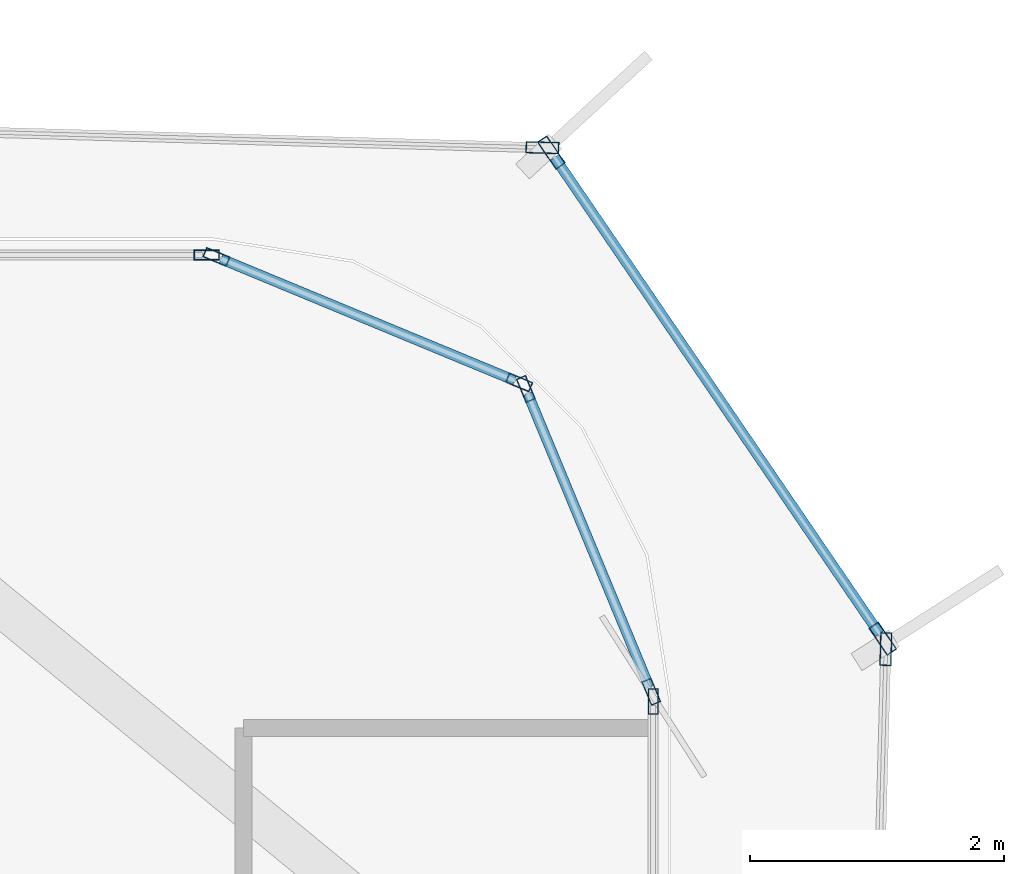
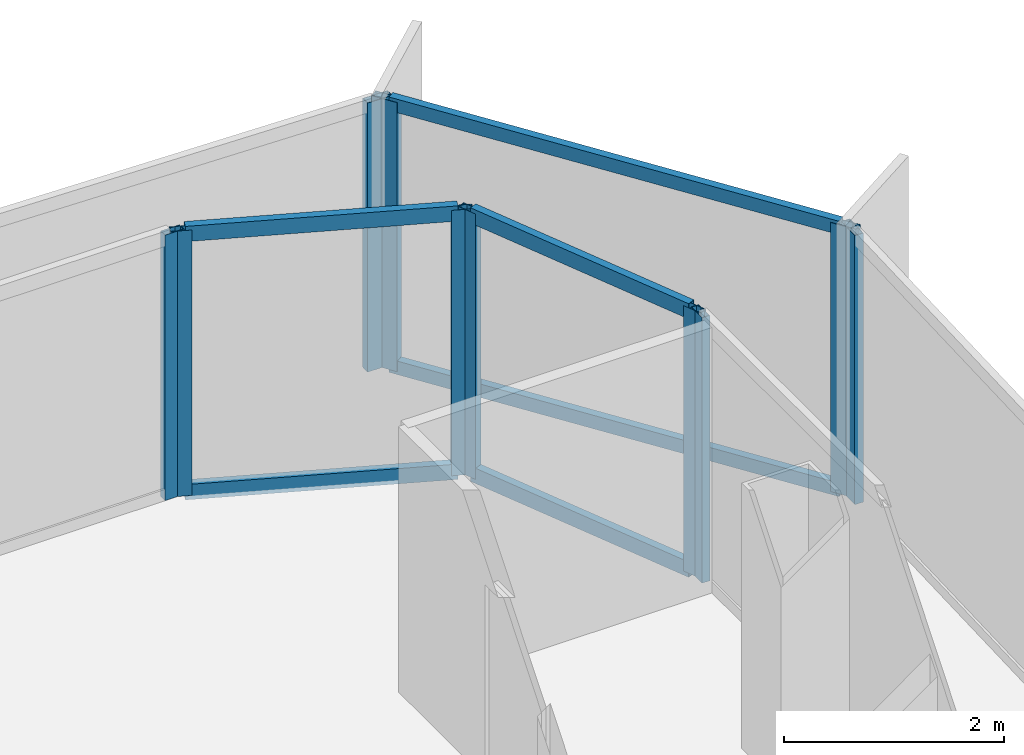
# One storey, part 8 of 15: 16 members, 7 elements without a shape of their own.
"""IFC4 building model written with IfcOpenShell, lengths in metres."""

from ifc_helpers import new_model, si_unit, direction, frame, origin, origin_2d, place, context, subcontext, project, spatial, hollow_rectangle, extrude, source, transform, mapped, material, layer, layer_set, material_profile, profile_set, type_object, element, aggregate, save


model = new_model("IFC4")

# Units and contexts
model_context = context("Model", 3, precision=1e-05, world=origin(), true_north=direction((0.0, 1.0)))
body_context = subcontext(model_context, "Body", "Model", "MODEL_VIEW")
ifc_project = project(units=[si_unit("LENGTHUNIT", "METRE"), si_unit("AREAUNIT", "SQUARE_METRE"), si_unit("VOLUMEUNIT", "CUBIC_METRE"), si_unit("PLANEANGLEUNIT", "RADIAN"), si_unit("MASSUNIT", "GRAM", prefix="KILO")], contexts=[model_context])

# Site, building, storey
site_placement = place(None, origin())
site = spatial("IfcSite", under=ifc_project, at=site_placement, CompositionType="ELEMENT")
building_placement = place(site_placement, origin())
building = spatial("IfcBuilding", under=site, at=building_placement, Name="Kolveth Station Tower", CompositionType="ELEMENT")
storey_placement = place(building_placement, frame((0.0, 0.0, 193.199951171875)))
storey = spatial("IfcBuildingStorey", under=building, at=storey_placement, Name="L54", CompositionType="ELEMENT", Elevation=193.199951171875)

# Curtain wall, member
ifc_material_1 = material(Name="Aluminium 6063-T6 and low-E dark glass", Category="aluminium")
ifc_layer_1 = layer(ifc_material_1, 0.18994140625)
ifc_layer_set_1 = layer_set([ifc_layer_1], Name="Aluminium 6063-T6 and low-E dark glass")
curtain_wall_type_1 = type_object("IfcCurtainWallType", Name="CurtainWall_CW-Z2", PredefinedType="NOTDEFINED", material=ifc_layer_set_1)
curtain_wall_1_placement = place(storey_placement, origin())
curtain_wall_1 = element("IfcCurtainWall", 1, at=curtain_wall_1_placement, inside=storey, type_object=curtain_wall_type_1, Name="L54 Inner Thermal Curtain Wall 3", PredefinedType="NOTDEFINED")
ifc_material_2 = material(Name="Black anodized aluminium 6063-T6", Category="aluminium")
ifc_material_profile_1 = material_profile(ifc_material_2, hollow_rectangle(XDim=0.080078125, YDim=0.199951171875, WallThickness=0.0048828125, at=origin_2d()), Name="ALU-80x200x5")
ifc_profile_set_1 = profile_set([ifc_material_profile_1], Name="Black anodized aluminium 6063-T6")
member_type_1 = type_object("IfcMemberType", Name="Mullion_ML2", PredefinedType="MULLION", material=ifc_profile_set_1)
shared_shape_1 = source(origin(), body_context, "Body", "SweptSolid", [
    extrude(hollow_rectangle(XDim=0.080078125, YDim=0.199951171875, WallThickness=0.0048828125, at=origin_2d()), origin(), (0.0, 0.0, 1.0), 2.949951171875),
])
member_1_placement = place(storey_placement, frame((41.679931640625, 31.659912109375, 0.0), z_axis=(0.0, 0.0, 1.0), x_axis=(-1.0, 0.0, 0.0)))
member_1 = element("IfcMember", 2, at=member_1_placement, type_object=member_type_1, Name="CW-Z2 mullion 2", PredefinedType="MULLION", context=body_context, shape_type="MappedRepresentation", body=[
    mapped(shared_shape_1, transform((0.0, 0.0, 0.0), x_axis=(1.0, 0.0, 0.0), y_axis=(0.0, 1.0, 0.0), z_axis=(0.0, 0.0, 1.0), scale=1.0)),
])
aggregate(curtain_wall_1, [member_1])

# Curtain wall, members
curtain_wall_2_placement = place(storey_placement, origin())
curtain_wall_2 = element("IfcCurtainWall", 3, at=curtain_wall_2_placement, inside=storey, type_object=curtain_wall_type_1, Name="L54 Inner Thermal Curtain Wall 4", PredefinedType="NOTDEFINED")
member_2_placement = place(storey_placement, frame((41.664794921875, 31.737060546875, 0.0), z_axis=(0.0, 0.0, 1.0), x_axis=(-0.923873600544, -0.382697753087, 0.0)))
member_2 = element("IfcMember", 4, at=member_2_placement, type_object=member_type_1, Name="CW-Z2 mullion 1", PredefinedType="MULLION", context=body_context, shape_type="MappedRepresentation", body=[
    mapped(shared_shape_1, transform((0.0, 0.0, 0.0), x_axis=(1.0, 0.0, 0.0), y_axis=(0.0, 1.0, 0.0), z_axis=(0.0, 0.0, 1.0), scale=1.0)),
])
member_3_placement = place(storey_placement, frame((40.676025390625, 34.123779296875, 0.0), z_axis=(0.0, 0.0, 1.0), x_axis=(-0.923873600544, -0.382697753087, 0.0)))
member_3 = element("IfcMember", 5, at=member_3_placement, type_object=member_type_1, Name="CW-Z2 mullion 2", PredefinedType="MULLION", context=body_context, shape_type="MappedRepresentation", body=[
    mapped(shared_shape_1, transform((0.0, 0.0, 0.0), x_axis=(1.0, 0.0, 0.0), y_axis=(0.0, 1.0, 0.0), z_axis=(0.0, 0.0, 1.0), scale=1.0)),
])

curtain_wall_3_placement = place(storey_placement, origin())
curtain_wall_3 = element("IfcCurtainWall", 6, at=curtain_wall_3_placement, inside=storey, type_object=curtain_wall_type_1, Name="L54 Inner Thermal Curtain Wall 5", PredefinedType="NOTDEFINED")
member_4_placement = place(storey_placement, frame((40.623779296875, 34.176025390625, 0.0), z_axis=(0.0, 0.0, 1.0), x_axis=(-0.382697753087, -0.923873600544, 0.0)))
member_4 = element("IfcMember", 7, at=member_4_placement, type_object=member_type_1, Name="CW-Z2 mullion 1", PredefinedType="MULLION", context=body_context, shape_type="MappedRepresentation", body=[
    mapped(shared_shape_1, transform((0.0, 0.0, 0.0), x_axis=(1.0, 0.0, 0.0), y_axis=(0.0, 1.0, 0.0), z_axis=(0.0, 0.0, 1.0), scale=1.0)),
])
member_5_placement = place(storey_placement, frame((38.237060546875, 35.164794921875, 0.0), z_axis=(0.0, 0.0, 1.0), x_axis=(-0.382697753087, -0.923873600544, 0.0)))
member_5 = element("IfcMember", 8, at=member_5_placement, type_object=member_type_1, Name="CW-Z2 mullion 2", PredefinedType="MULLION", context=body_context, shape_type="MappedRepresentation", body=[
    mapped(shared_shape_1, transform((0.0, 0.0, 0.0), x_axis=(1.0, 0.0, 0.0), y_axis=(0.0, 1.0, 0.0), z_axis=(0.0, 0.0, 1.0), scale=1.0)),
])

# Curtain wall, member
curtain_wall_4_placement = place(storey_placement, origin())
curtain_wall_4 = element("IfcCurtainWall", 9, at=curtain_wall_4_placement, inside=storey, type_object=curtain_wall_type_1, Name="L54 Inner Thermal Curtain Wall 6", PredefinedType="NOTDEFINED")
member_6_placement = place(storey_placement, frame((38.159912109375, 35.179931640625, 0.0), z_axis=(0.0, 0.0, 1.0), x_axis=(0.0, -1.0, 0.0)))
member_6 = element("IfcMember", 10, at=member_6_placement, type_object=member_type_1, Name="CW-Z2 mullion 1", PredefinedType="MULLION", context=body_context, shape_type="MappedRepresentation", body=[
    mapped(shared_shape_1, transform((0.0, 0.0, 0.0), x_axis=(1.0, 0.0, 0.0), y_axis=(0.0, 1.0, 0.0), z_axis=(0.0, 0.0, 1.0), scale=1.0)),
])
aggregate(curtain_wall_4, [member_6])

ifc_material_3 = material(Name="Black anodized aluminium 6063-T6 and dark solar glass", Category="aluminium")
ifc_layer_2 = layer(ifc_material_3, 0.159912109375)
ifc_layer_set_2 = layer_set([ifc_layer_2], Name="Black anodized aluminium 6063-T6 and dark solar glass")
curtain_wall_type_2 = type_object("IfcCurtainWallType", Name="OUTER SKIN CW-OS", PredefinedType="NOTDEFINED", material=ifc_layer_set_2)
curtain_wall_5_placement = place(storey_placement, origin())
curtain_wall_5 = element("IfcCurtainWall", 11, at=curtain_wall_5_placement, inside=storey, type_object=curtain_wall_type_2, Name="L54 Outer Ventilated Skin Curtain Wall 2", PredefinedType="NOTDEFINED")
ifc_material_profile_2 = material_profile(ifc_material_2, hollow_rectangle(XDim=0.090087890625, YDim=0.260009765625, WallThickness=0.0048828125, at=origin_2d()), Name="ALU-90x260x5")
ifc_profile_set_2 = profile_set([ifc_material_profile_2], Name="Black anodized aluminium 6063-T6")
member_type_2 = type_object("IfcMemberType", Name="FIN MULLION ML-OS", PredefinedType="MULLION", material=ifc_profile_set_2)
shared_shape_2 = source(origin(), body_context, "Body", "SweptSolid", [
    extrude(hollow_rectangle(XDim=0.090087890625, YDim=0.260009765625, WallThickness=0.0048828125, at=origin_2d()), origin(), (0.0, 0.0, 1.0), 2.989990234375),
])
member_7_placement = place(storey_placement, frame((43.514404296875, 32.073486328125, 0.0), z_axis=(0.0, 0.0, 1.0), x_axis=(-0.999636903234, 0.026945531966, 0.0)))
member_7 = element("IfcMember", 12, at=member_7_placement, type_object=member_type_2, Name="CW-OS mullion 2", PredefinedType="MULLION", context=body_context, shape_type="MappedRepresentation", body=[
    mapped(shared_shape_2, transform((0.0, 0.0, 0.0), x_axis=(1.0, 0.0, 0.0), y_axis=(0.0, 1.0, 0.0), z_axis=(0.0, 0.0, 1.0), scale=1.0)),
])
aggregate(curtain_wall_5, [member_7])

# Curtain wall, members
curtain_wall_6_placement = place(storey_placement, origin())
curtain_wall_6 = element("IfcCurtainWall", 13, at=curtain_wall_6_placement, inside=storey, type_object=curtain_wall_type_2, Name="L54 Outer Ventilated Skin Curtain Wall 3", PredefinedType="NOTDEFINED")
member_8_placement = place(storey_placement, frame((43.490234375, 32.15576171875, 0.0), z_axis=(0.0, 0.0, 1.0), x_axis=(-0.826229580123, -0.563333543232, 0.0)))
member_8 = element("IfcMember", 14, at=member_8_placement, type_object=member_type_2, Name="CW-OS mullion 1", PredefinedType="MULLION", context=body_context, shape_type="MappedRepresentation", body=[
    mapped(shared_shape_2, transform((0.0, 0.0, 0.0), x_axis=(1.0, 0.0, 0.0), y_axis=(0.0, 1.0, 0.0), z_axis=(0.0, 0.0, 1.0), scale=1.0)),
])
member_9_placement = place(storey_placement, frame((40.87744140625, 35.98779296875, 0.0), z_axis=(0.0, 0.0, 1.0), x_axis=(-0.826229580123, -0.563333543232, 0.0)))
member_9 = element("IfcMember", 15, at=member_9_placement, type_object=member_type_2, Name="CW-OS mullion 2", PredefinedType="MULLION", context=body_context, shape_type="MappedRepresentation", body=[
    mapped(shared_shape_2, transform((0.0, 0.0, 0.0), x_axis=(1.0, 0.0, 0.0), y_axis=(0.0, 1.0, 0.0), z_axis=(0.0, 0.0, 1.0), scale=1.0)),
])

# Curtain wall, member
curtain_wall_7_placement = place(storey_placement, origin())
curtain_wall_7 = element("IfcCurtainWall", 16, at=curtain_wall_7_placement, inside=storey, type_object=curtain_wall_type_2, Name="L54 Outer Ventilated Skin Curtain Wall 4", PredefinedType="NOTDEFINED")
member_10_placement = place(storey_placement, frame((40.80712890625, 36.0263671875, 0.0), z_axis=(0.0, 0.0, 1.0), x_axis=(-0.027822490511, -0.99961287958, 0.0)))
member_10 = element("IfcMember", 17, at=member_10_placement, type_object=member_type_2, Name="CW-OS mullion 1", PredefinedType="MULLION", context=body_context, shape_type="MappedRepresentation", body=[
    mapped(shared_shape_2, transform((0.0, 0.0, 0.0), x_axis=(1.0, 0.0, 0.0), y_axis=(0.0, 1.0, 0.0), z_axis=(0.0, 0.0, 1.0), scale=1.0)),
])
aggregate(curtain_wall_7, [member_10])

# Member
ifc_material_profile_3 = material_profile(ifc_material_2, hollow_rectangle(XDim=0.080078125, YDim=0.169921875, WallThickness=0.0048828125, at=origin_2d()), Name="ALU-80x170x5")
ifc_profile_set_3 = profile_set([ifc_material_profile_3], Name="Black anodized aluminium 6063-T6")
member_type_3 = type_object("IfcMemberType", Name="Transom_TR2", PredefinedType="USERDEFINED", material=ifc_profile_set_3)
shared_shape_3 = source(origin(), body_context, "Body", "SweptSolid", [
    extrude(hollow_rectangle(XDim=0.080078125, YDim=0.169921875, WallThickness=0.0048828125, at=origin_2d()), origin(), (0.0, 0.0, 1.0), 2.50341796875),
])
member_11_placement = place(storey_placement, frame((41.6494140625, 31.77392578125, 0.0400390625), z_axis=(-0.382696328882, 0.923874190494, 0.0), x_axis=(-0.923874190494, -0.382696328882, 0.0)))
member_11 = element("IfcMember", 18, at=member_11_placement, type_object=member_type_3, Name="CW-Z2 transom 1.1", ObjectType="TRANSOM", PredefinedType="USERDEFINED", context=body_context, shape_type="MappedRepresentation", body=[
    mapped(shared_shape_3, transform((0.0, 0.0, 0.0), x_axis=(1.0, 0.0, 0.0), y_axis=(0.0, 1.0, 0.0), z_axis=(0.0, 0.0, 1.0), scale=1.0)),
])

member_12_placement = place(storey_placement, frame((41.6494140625, 31.77392578125, 2.91015625), z_axis=(-0.382696328882, 0.923874190494, 0.0), x_axis=(-0.923874190494, -0.382696328882, 0.0)))
member_12 = element("IfcMember", 19, at=member_12_placement, type_object=member_type_3, Name="CW-Z2 transom 1.2", ObjectType="TRANSOM", PredefinedType="USERDEFINED", context=body_context, shape_type="MappedRepresentation", body=[
    mapped(shared_shape_3, transform((0.0, 0.0, 0.0), x_axis=(1.0, 0.0, 0.0), y_axis=(0.0, 1.0, 0.0), z_axis=(0.0, 0.0, 1.0), scale=1.0)),
])

aggregate(curtain_wall_2, [member_2, member_3, member_11, member_12])

member_13_placement = place(storey_placement, frame((40.586669921875, 34.19140625, 0.0400390625), z_axis=(-0.923874190494, 0.382696328882, 0.0), x_axis=(-0.382696328882, -0.923874190494, 0.0)))
member_13 = element("IfcMember", 20, at=member_13_placement, type_object=member_type_3, Name="CW-Z2 transom 1.1", ObjectType="TRANSOM", PredefinedType="USERDEFINED", context=body_context, shape_type="MappedRepresentation", body=[
    mapped(shared_shape_3, transform((0.0, 0.0, 0.0), x_axis=(1.0, 0.0, 0.0), y_axis=(0.0, 1.0, 0.0), z_axis=(0.0, 0.0, 1.0), scale=1.0)),
])

member_14_placement = place(storey_placement, frame((40.586669921875, 34.19140625, 2.91015625), z_axis=(-0.923874190494, 0.382696328882, 0.0), x_axis=(-0.382696328882, -0.923874190494, 0.0)))
member_14 = element("IfcMember", 21, at=member_14_placement, type_object=member_type_3, Name="CW-Z2 transom 1.2", ObjectType="TRANSOM", PredefinedType="USERDEFINED", context=body_context, shape_type="MappedRepresentation", body=[
    mapped(shared_shape_3, transform((0.0, 0.0, 0.0), x_axis=(1.0, 0.0, 0.0), y_axis=(0.0, 1.0, 0.0), z_axis=(0.0, 0.0, 1.0), scale=1.0)),
])

aggregate(curtain_wall_3, [member_4, member_5, member_13, member_14])

ifc_material_profile_4 = material_profile(ifc_material_2, hollow_rectangle(XDim=0.080078125, YDim=0.14990234375, WallThickness=0.0048828125, at=origin_2d()), Name="ALU-80x150x5")
ifc_profile_set_4 = profile_set([ifc_material_profile_4], Name="Black anodized aluminium 6063-T6")
member_type_4 = type_object("IfcMemberType", Name="Transom_TR-OS", PredefinedType="USERDEFINED", material=ifc_profile_set_4)
shared_shape_4 = source(origin(), body_context, "Body", "SweptSolid", [
    extrude(hollow_rectangle(XDim=0.080078125, YDim=0.14990234375, WallThickness=0.0048828125, at=origin_2d()), origin(), (0.0, 0.0, 1.0), 4.548095703125),
])
member_15_placement = place(storey_placement, frame((43.46484375, 32.19287109375, 0.0400390625), z_axis=(-0.563316836476, 0.826240970748, 0.0), x_axis=(-0.826240970748, -0.563316836476, 0.0)))
member_15 = element("IfcMember", 22, at=member_15_placement, type_object=member_type_4, Name="CW-OS transom 1.1", ObjectType="TRANSOM", PredefinedType="USERDEFINED", context=body_context, shape_type="MappedRepresentation", body=[
    mapped(shared_shape_4, transform((0.0, 0.0, 0.0), x_axis=(1.0, 0.0, 0.0), y_axis=(0.0, 1.0, 0.0), z_axis=(0.0, 0.0, 1.0), scale=1.0)),
])

member_16_placement = place(storey_placement, frame((43.46484375, 32.19287109375, 2.949951171875), z_axis=(-0.563316836476, 0.826240970748, 0.0), x_axis=(-0.826240970748, -0.563316836476, 0.0)))
member_16 = element("IfcMember", 23, at=member_16_placement, type_object=member_type_4, Name="CW-OS transom 1.2", ObjectType="TRANSOM", PredefinedType="USERDEFINED", context=body_context, shape_type="MappedRepresentation", body=[
    mapped(shared_shape_4, transform((0.0, 0.0, 0.0), x_axis=(1.0, 0.0, 0.0), y_axis=(0.0, 1.0, 0.0), z_axis=(0.0, 0.0, 1.0), scale=1.0)),
])

aggregate(curtain_wall_6, [member_8, member_9, member_15, member_16])

save(model, "model.ifc")
